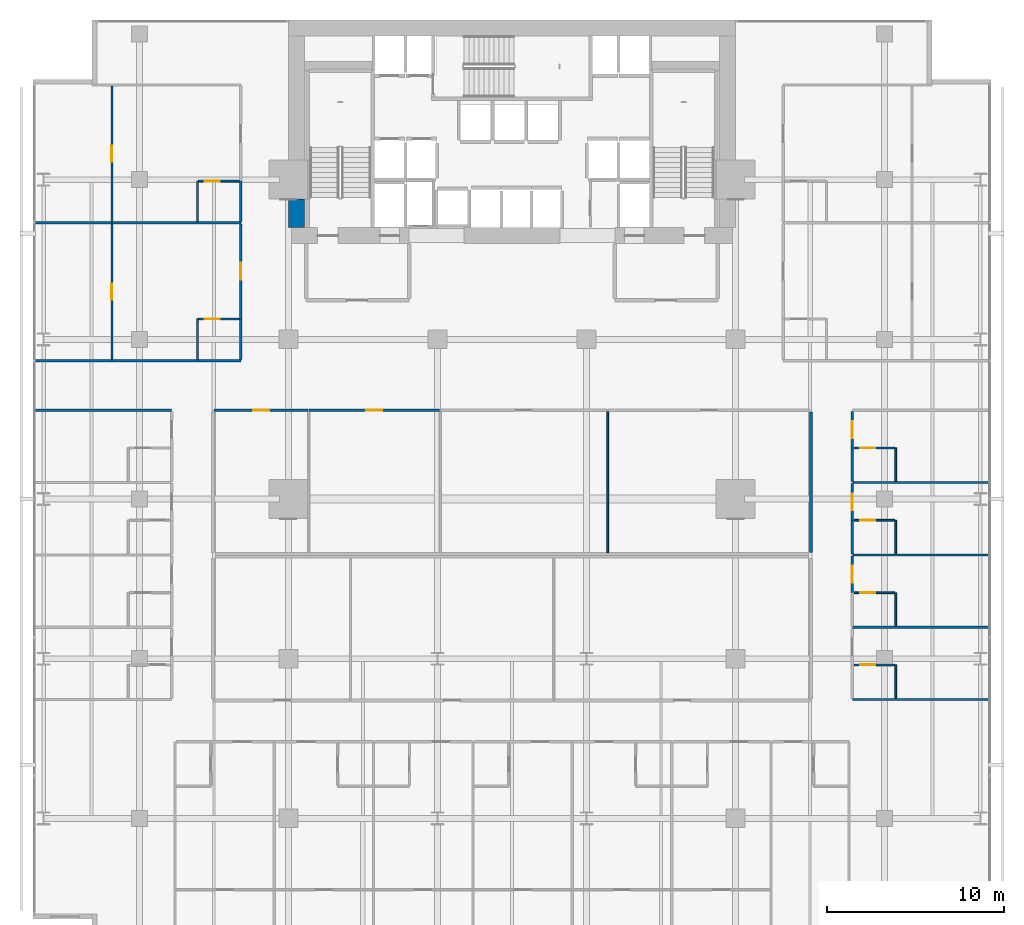
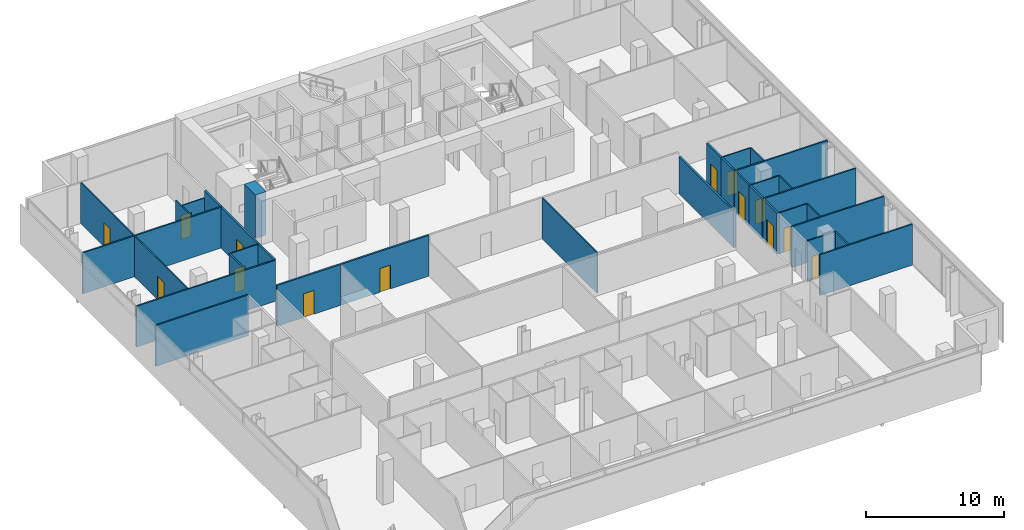
# One storey, part 35 of 40: 34 walls, 14 doors, 14 openings.
"""IFC4 building model written with IfcOpenShell, lengths in metres."""

from ifc_helpers import new_model, si_unit, direction, frame, frame_2d, origin, place, context, subcontext, project, spatial, rectangle, extrude, material, layer, layer_set, type_object, element, fill, save


model = new_model("IFC4")

# Units and contexts
model_context = context("Model", 3, precision=1e-05, world=origin(), true_north=direction((0.0, 1.0)))
body_context = subcontext(model_context, "Body", "Model", "MODEL_VIEW")
ifc_project = project(units=[si_unit("LENGTHUNIT", "METRE"), si_unit("AREAUNIT", "SQUARE_METRE"), si_unit("VOLUMEUNIT", "CUBIC_METRE"), si_unit("PLANEANGLEUNIT", "RADIAN"), si_unit("MASSUNIT", "GRAM", prefix="KILO")], contexts=[model_context])

# Site, building, storey
site_placement = place(None, origin())
site = spatial("IfcSite", under=ifc_project, at=site_placement, CompositionType="ELEMENT")
building_placement = place(site_placement, origin())
building = spatial("IfcBuilding", under=site, at=building_placement, Name="Maruvema Waterfront Hotel and Observation Tower", CompositionType="ELEMENT")
storey_placement = place(building_placement, frame((0.0, 0.0, 57.75)))
storey = spatial("IfcBuildingStorey", under=building, at=storey_placement, Name="L13", CompositionType="ELEMENT", Elevation=57.75)

# Wall
ifc_material_1 = material(Name="Twin-stud acoustic gypsum drywall", Category="gypsum")
ifc_layer_1 = layer(ifc_material_1, 0.14990234375, Name="Acoustic Corridor and Suite Demising Wall 150 mm")
ifc_layer_set_1 = layer_set([ifc_layer_1], Name="Twin-stud acoustic gypsum drywall")
wall_type_1 = type_object("IfcWallType", Name="Acoustic Corridor and Suite Demising Wall 150 mm", PredefinedType="PARTITIONING", material=ifc_layer_set_1)
wall_1_placement = place(storey_placement, frame((54.64990234375, 23.97998046875, 0.0), z_axis=(0.0, 0.0, 1.0), x_axis=(0.0, 1.0, 0.0)))
element("IfcWall", 1, at=wall_1_placement, inside=storey, type_object=wall_type_1, Name="L13 L13-INTN East Wall 014", PredefinedType="PARTITIONING", context=body_context, shape_type="SweptSolid", body=[
    extrude(rectangle(XDim=7.93994140625, YDim=0.14990234375, at=frame_2d((3.969970703125, 0.0))), origin(), (0.0, 0.0, 1.0), 3.2548828125),
])

# Wall, opening, door
wall_2_placement = place(storey_placement, frame((21.010009765625, 32.0, 0.0), z_axis=(0.0, 0.0, 1.0), x_axis=(1.0, 0.0, 0.0)))
wall_2 = element("IfcWall", 2, at=wall_2_placement, inside=storey, type_object=wall_type_1, Name="L13 L13-INTN Front 1 015", PredefinedType="PARTITIONING", context=body_context, shape_type="SweptSolid", body=[
    extrude(rectangle(XDim=5.302001953125, YDim=0.14990234375, at=frame_2d((2.65087890625, 0.0))), origin(), (0.0, 0.0, 1.0), 3.610107421875),
])
opening_1_placement = place(wall_2_placement, frame((2.200927734375, 0.0, 0.0)))
opening_1 = element("IfcOpeningElement", 3, at=opening_1_placement, cuts=wall_2, Name="Opening DR-090", PredefinedType="OPENING", context=body_context, shape_type="SweptSolid", body=[
    extrude(rectangle(XDim=0.89990234375, YDim=2.10009765625, at=frame_2d((0.449951171875, 1.050048828125))), frame((0.0, 0.0849609375, 0.0), z_axis=(0.0, -1.0, 0.0), x_axis=(1.0, 0.0, 0.0)), (0.0, 0.0, 1.0), 0.169921875),
])
ifc_material_2 = material(Name="Solid-core lacquered timber leaf", Category="wood")
door_type_1 = type_object("IfcDoorType", Name="Accessible Toilet and Room Door 900x2100 mm", OperationType="NOTDEFINED", PredefinedType="DOOR", material=ifc_material_2)
door_1_placement = place(opening_1_placement, origin())
door_1 = element("IfcDoor", 4, at=door_1_placement, inside=storey, type_object=door_type_1, Name="L13 Conference Salon 1 Door", OperationType="SINGLE_SWING_LEFT", OverallHeight=2.10009765625, OverallWidth=0.89990234375, PredefinedType="DOOR", context=body_context, shape_type="SweptSolid", body=[
    extrude(rectangle(XDim=0.89990234375, YDim=2.10009765625, at=frame_2d((0.449951171875, 1.050048828125))), frame((0.0, 0.02490234375, 0.0), z_axis=(0.0, -1.0, 0.0), x_axis=(1.0, 0.0, 0.0)), (0.0, 0.0, 1.0), 0.050048828125),
])
fill(opening_1, door_1)

wall_3_placement = place(storey_placement, frame((26.3720703125, 32.0, 0.0), z_axis=(0.0, 0.0, 1.0), x_axis=(1.0, 0.0, 0.0)))
wall_3 = element("IfcWall", 5, at=wall_3_placement, inside=storey, type_object=wall_type_1, Name="L13 L13-INTN Front 2 017", PredefinedType="PARTITIONING", context=body_context, shape_type="SweptSolid", body=[
    extrude(rectangle(XDim=7.35400390625, YDim=0.14990234375, at=frame_2d((3.677001953125, 0.0))), origin(), (0.0, 0.0, 1.0), 3.610107421875),
])
opening_2_placement = place(wall_3_placement, frame((3.22705078125, 0.0, 0.0)))
opening_2 = element("IfcOpeningElement", 6, at=opening_2_placement, cuts=wall_3, Name="Opening DR-090", PredefinedType="OPENING", context=body_context, shape_type="SweptSolid", body=[
    extrude(rectangle(XDim=0.89990234375, YDim=2.10009765625, at=frame_2d((0.449951171875, 1.050048828125))), frame((0.0, 0.0849609375, 0.0), z_axis=(0.0, -1.0, 0.0), x_axis=(1.0, 0.0, 0.0)), (0.0, 0.0, 1.0), 0.169921875),
])
door_2_placement = place(opening_2_placement, origin())
door_2 = element("IfcDoor", 7, at=door_2_placement, inside=storey, type_object=door_type_1, Name="L13 Conference Salon 2 Door", OperationType="SINGLE_SWING_RIGHT", OverallHeight=2.10009765625, OverallWidth=0.89990234375, PredefinedType="DOOR", context=body_context, shape_type="SweptSolid", body=[
    extrude(rectangle(XDim=0.89990234375, YDim=2.10009765625, at=frame_2d((0.449951171875, 1.050048828125))), frame((0.0, 0.02490234375, 0.0), z_axis=(0.0, -1.0, 0.0), x_axis=(1.0, 0.0, 0.0)), (0.0, 0.0, 1.0), 0.050048828125),
])
fill(opening_2, door_2)

wall_4_placement = place(storey_placement, frame((56.97998046875, 21.719970703125, 0.0), z_axis=(0.0, 0.0, 1.0), x_axis=(0.0, 1.0, 0.0)))
wall_4 = element("IfcWall", 8, at=wall_4_placement, inside=storey, type_object=wall_type_1, Name="L13 Room L13-E2 Corridor Wall 091", PredefinedType="PARTITIONING", context=body_context, shape_type="SweptSolid", body=[
    extrude(rectangle(XDim=2.070068359375, YDim=0.14990234375, at=frame_2d((1.03515625, 0.0))), origin(), (0.0, 0.0, 1.0), 3.610107421875),
])
opening_3_placement = place(wall_4_placement, frame((0.56005859375, 0.0, 0.0)))
opening_3 = element("IfcOpeningElement", 9, at=opening_3_placement, cuts=wall_4, Name="Opening DR-095", PredefinedType="OPENING", context=body_context, shape_type="SweptSolid", body=[
    extrude(rectangle(XDim=0.949951171875, YDim=2.14990234375, at=frame_2d((0.47509765625, 1.074951171875))), frame((0.0, 0.0849609375, 0.0), z_axis=(0.0, -1.0, 0.0), x_axis=(1.0, 0.0, 0.0)), (0.0, 0.0, 1.0), 0.169921875),
])
ifc_material_3 = material(Name="Acoustic solid-core hardwood timber leaf", Category="wood")
door_type_2 = type_object("IfcDoorType", Name="Guestroom Entrance Fire Door 950x2150 mm", OperationType="NOTDEFINED", PredefinedType="DOOR", material=ifc_material_3)
door_3_placement = place(opening_3_placement, frame((0.949951171875, 0.0, 0.0), z_axis=(0.0, 0.0, 1.0), x_axis=(-1.0, 0.0, 0.0)))
door_3 = element("IfcDoor", 10, at=door_3_placement, inside=storey, type_object=door_type_2, Name="L13 Room L13-E2 Entrance Door", OperationType="SINGLE_SWING_LEFT", OverallHeight=2.14990234375, OverallWidth=0.949951171875, PredefinedType="DOOR", context=body_context, shape_type="SweptSolid", body=[
    extrude(rectangle(XDim=0.949951171875, YDim=2.14990234375, at=frame_2d((0.47509765625, 1.074951171875))), frame((0.0, 0.02490234375, 0.0), z_axis=(0.0, -1.0, 0.0), x_axis=(1.0, 0.0, 0.0)), (0.0, 0.0, 1.0), 0.050048828125),
])
fill(opening_3, door_3)

# Wall
wall_5_placement = place(storey_placement, frame((56.97998046875, 23.909912109375, 0.0), z_axis=(0.0, 0.0, 1.0), x_axis=(0.0, 1.0, 0.0)))
element("IfcWall", 11, at=wall_5_placement, inside=storey, type_object=wall_type_1, Name="L13 Bath L13-E3 Wall 100", PredefinedType="PARTITIONING", context=body_context, shape_type="SweptSolid", body=[
    extrude(rectangle(XDim=1.89013671875, YDim=0.14990234375, at=frame_2d((0.945068359375, 0.0))), origin(), (0.0, 0.0, 1.0), 3.610107421875),
])

# Wall, opening, door
wall_6_placement = place(storey_placement, frame((56.97998046875, 25.800048828125, 0.0), z_axis=(0.0, 0.0, 1.0), x_axis=(0.0, 1.0, 0.0)))
wall_6 = element("IfcWall", 12, at=wall_6_placement, inside=storey, type_object=wall_type_1, Name="L13 Room L13-E3 Corridor Wall 101", PredefinedType="PARTITIONING", context=body_context, shape_type="SweptSolid", body=[
    extrude(rectangle(XDim=2.070068359375, YDim=0.14990234375, at=frame_2d((1.03515625, 0.0))), origin(), (0.0, 0.0, 1.0), 3.610107421875),
])
opening_4_placement = place(wall_6_placement, frame((0.56005859375, 0.0, 0.0)))
opening_4 = element("IfcOpeningElement", 13, at=opening_4_placement, cuts=wall_6, Name="Opening DR-095", PredefinedType="OPENING", context=body_context, shape_type="SweptSolid", body=[
    extrude(rectangle(XDim=0.949951171875, YDim=2.14990234375, at=frame_2d((0.47509765625, 1.074951171875))), frame((0.0, 0.0849609375, 0.0), z_axis=(0.0, -1.0, 0.0), x_axis=(1.0, 0.0, 0.0)), (0.0, 0.0, 1.0), 0.169921875),
])
door_4_placement = place(opening_4_placement, frame((0.949951171875, 0.0, 0.0), z_axis=(0.0, 0.0, 1.0), x_axis=(-1.0, 0.0, 0.0)))
door_4 = element("IfcDoor", 14, at=door_4_placement, inside=storey, type_object=door_type_2, Name="L13 Room L13-E3 Entrance Door", OperationType="SINGLE_SWING_LEFT", OverallHeight=2.14990234375, OverallWidth=0.949951171875, PredefinedType="DOOR", context=body_context, shape_type="SweptSolid", body=[
    extrude(rectangle(XDim=0.949951171875, YDim=2.14990234375, at=frame_2d((0.47509765625, 1.074951171875))), frame((0.0, 0.02490234375, 0.0), z_axis=(0.0, -1.0, 0.0), x_axis=(1.0, 0.0, 0.0)), (0.0, 0.0, 1.0), 0.050048828125),
])
fill(opening_4, door_4)

# Wall
wall_7_placement = place(storey_placement, frame((56.97998046875, 27.989990234375, 0.0), z_axis=(0.0, 0.0, 1.0), x_axis=(0.0, 1.0, 0.0)))
element("IfcWall", 15, at=wall_7_placement, inside=storey, type_object=wall_type_1, Name="L13 Bath L13-E4 Wall 110", PredefinedType="PARTITIONING", context=body_context, shape_type="SweptSolid", body=[
    extrude(rectangle(XDim=1.889892578125, YDim=0.14990234375, at=frame_2d((0.94482421875, 0.0))), origin(), (0.0, 0.0, 1.0), 3.610107421875),
])

# Wall, opening, door
wall_8_placement = place(storey_placement, frame((56.97998046875, 29.8798828125, 0.0), z_axis=(0.0, 0.0, 1.0), x_axis=(0.0, 1.0, 0.0)))
wall_8 = element("IfcWall", 16, at=wall_8_placement, inside=storey, type_object=wall_type_1, Name="L13 Room L13-E4 Corridor Wall 111", PredefinedType="PARTITIONING", context=body_context, shape_type="SweptSolid", body=[
    extrude(rectangle(XDim=2.06005859375, YDim=0.14990234375, at=frame_2d((1.030029296875, 0.0))), origin(), (0.0, 0.0, 1.0), 3.610107421875),
])
opening_5_placement = place(wall_8_placement, frame((0.554931640625, 0.0, 0.0)))
opening_5 = element("IfcOpeningElement", 17, at=opening_5_placement, cuts=wall_8, Name="Opening DR-095", PredefinedType="OPENING", context=body_context, shape_type="SweptSolid", body=[
    extrude(rectangle(XDim=0.949951171875, YDim=2.14990234375, at=frame_2d((0.47509765625, 1.074951171875))), frame((0.0, 0.0849609375, 0.0), z_axis=(0.0, -1.0, 0.0), x_axis=(1.0, 0.0, 0.0)), (0.0, 0.0, 1.0), 0.169921875),
])
door_5_placement = place(opening_5_placement, frame((0.949951171875, 0.0, 0.0), z_axis=(0.0, 0.0, 1.0), x_axis=(-1.0, 0.0, 0.0)))
door_5 = element("IfcDoor", 18, at=door_5_placement, inside=storey, type_object=door_type_2, Name="L13 Room L13-E4 Entrance Door", OperationType="SINGLE_SWING_LEFT", OverallHeight=2.14990234375, OverallWidth=0.949951171875, PredefinedType="DOOR", context=body_context, shape_type="SweptSolid", body=[
    extrude(rectangle(XDim=0.949951171875, YDim=2.14990234375, at=frame_2d((0.47509765625, 1.074951171875))), frame((0.0, 0.02490234375, 0.0), z_axis=(0.0, -1.0, 0.0), x_axis=(1.0, 0.0, 0.0)), (0.0, 0.0, 1.0), 0.050048828125),
])
fill(opening_5, door_5)

# Wall
wall_9_placement = place(storey_placement, frame((22.52001953125, 34.860107421875, 0.0), z_axis=(0.0, 0.0, 1.0), x_axis=(0.0, 1.0, 0.0)))
element("IfcWall", 19, at=wall_9_placement, inside=storey, type_object=wall_type_1, Name="L13 Bath L13-NW1 Wall 118", PredefinedType="PARTITIONING", context=body_context, shape_type="SweptSolid", body=[
    extrude(rectangle(XDim=2.289794921875, YDim=0.14990234375, at=frame_2d((1.14501953125, 0.0))), origin(), (0.0, 0.0, 1.0), 3.610107421875),
])

# Wall, opening, door
wall_10_placement = place(storey_placement, frame((22.52001953125, 37.14990234375, 0.0), z_axis=(0.0, 0.0, 1.0), x_axis=(0.0, 1.0, 0.0)))
wall_10 = element("IfcWall", 20, at=wall_10_placement, inside=storey, type_object=wall_type_1, Name="L13 Room L13-NW1 Corridor Wall 119", PredefinedType="PARTITIONING", context=body_context, shape_type="SweptSolid", body=[
    extrude(rectangle(XDim=5.35888671875, YDim=0.14990234375, at=frame_2d((2.679443359375, 0.0))), origin(), (0.0, 0.0, 1.0), 3.610107421875),
])
opening_6_placement = place(wall_10_placement, frame((2.204345703125, 0.0, 0.0)))
opening_6 = element("IfcOpeningElement", 21, at=opening_6_placement, cuts=wall_10, Name="Opening DR-095", PredefinedType="OPENING", context=body_context, shape_type="SweptSolid", body=[
    extrude(rectangle(XDim=0.949951171875, YDim=2.14990234375, at=frame_2d((0.47509765625, 1.074951171875))), frame((0.0, 0.0849609375, 0.0), z_axis=(0.0, -1.0, 0.0), x_axis=(1.0, 0.0, 0.0)), (0.0, 0.0, 1.0), 0.169921875),
])
door_6_placement = place(opening_6_placement, origin())
door_6 = element("IfcDoor", 22, at=door_6_placement, inside=storey, type_object=door_type_2, Name="L13 Room L13-NW1 Entrance Door", OperationType="SINGLE_SWING_LEFT", OverallHeight=2.14990234375, OverallWidth=0.949951171875, PredefinedType="DOOR", context=body_context, shape_type="SweptSolid", body=[
    extrude(rectangle(XDim=0.949951171875, YDim=2.14990234375, at=frame_2d((0.47509765625, 1.074951171875))), frame((0.0, 0.02490234375, 0.0), z_axis=(0.0, -1.0, 0.0), x_axis=(1.0, 0.0, 0.0)), (0.0, 0.0, 1.0), 0.050048828125),
])
fill(opening_6, door_6)

# Walls
wall_11_placement = place(storey_placement, frame((22.52001953125, 42.628662109375, 0.0), z_axis=(0.0, 0.0, 1.0), x_axis=(0.0, 1.0, 0.0)))
element("IfcWall", 23, at=wall_11_placement, inside=storey, type_object=wall_type_1, Name="L13 Bath L13-NW2 Wall 130", PredefinedType="PARTITIONING", context=body_context, shape_type="SweptSolid", body=[
    extrude(rectangle(XDim=2.2900390625, YDim=0.14990234375, at=frame_2d((1.14501953125, 0.0))), origin(), (0.0, 0.0, 1.0), 3.610107421875),
])
ifc_material_4 = material(Name="Concrete C80/95", Category="concrete")
ifc_layer_2 = layer(ifc_material_4, 0.89990234375, Name="Core Shear Wall 900 mm")
ifc_layer_set_2 = layer_set([ifc_layer_2], Name="Concrete C80/95")
wall_type_2 = type_object("IfcWallType", Name="Core Shear Wall 900 mm", PredefinedType="SHEAR", material=ifc_layer_set_2)
wall_12_placement = place(storey_placement, frame((25.64990234375, 42.300048828125, 0.0), z_axis=(0.0, 0.0, 1.0), x_axis=(0.0, 1.0, 0.0)))
element("IfcWall", 24, at=wall_12_placement, inside=storey, type_object=wall_type_2, Name="L13 West-South Core Shear Wall", PredefinedType="SHEAR", context=body_context, shape_type="SweptSolid", body=[
    extrude(rectangle(XDim=1.599853515625, YDim=0.89990234375, at=frame_2d((0.7998046875, 0.0))), origin(), (0.0, 0.0, 1.0), 3.85009765625),
])
ifc_material_5 = material(Name="Moisture-resistant cement-board drywall", Category="gypsum")
ifc_layer_3 = layer(ifc_material_5, 0.10009765625, Name="En-Suite Moisture-Resistant Partition 100 mm")
ifc_layer_set_3 = layer_set([ifc_layer_3], Name="Moisture-resistant cement-board drywall")
wall_type_3 = type_object("IfcWallType", Name="En-Suite Moisture-Resistant Partition 100 mm", PredefinedType="PARTITIONING", material=ifc_layer_set_3)
wall_13_placement = place(storey_placement, frame((43.19189453125, 23.97998046875, 0.0), z_axis=(0.0, 0.0, 1.0), x_axis=(0.0, 1.0, 0.0)))
element("IfcWall", 25, at=wall_13_placement, inside=storey, type_object=wall_type_3, Name="L13 L13-INTN Split 3 020", PredefinedType="PARTITIONING", context=body_context, shape_type="SweptSolid", body=[
    extrude(rectangle(XDim=7.93994140625, YDim=0.10009765625, at=frame_2d((3.969970703125, 0.0))), origin(), (0.0, 0.0, 1.0), 3.610107421875),
])
wall_14_placement = place(storey_placement, frame((59.429931640625, 15.760009765625, 0.0), z_axis=(0.0, 0.0, 1.0), x_axis=(0.0, 1.0, 0.0)))
element("IfcWall", 26, at=wall_14_placement, inside=storey, type_object=wall_type_3, Name="L13 En-Suite L13-E1 E 082", PredefinedType="PARTITIONING", context=body_context, shape_type="SweptSolid", body=[
    extrude(rectangle(XDim=1.889892578125, YDim=0.10009765625, at=frame_2d((0.94482421875, 0.0))), origin(), (0.0, 0.0, 1.0), 3.610107421875),
])

# Wall, opening, door
wall_15_placement = place(storey_placement, frame((57.080078125, 17.64990234375, 0.0), z_axis=(0.0, 0.0, 1.0), x_axis=(1.0, 0.0, 0.0)))
wall_15 = element("IfcWall", 27, at=wall_15_placement, inside=storey, type_object=wall_type_3, Name="L13 En-Suite L13-E1 N 083", PredefinedType="PARTITIONING", context=body_context, shape_type="SweptSolid", body=[
    extrude(rectangle(XDim=2.2998046875, YDim=0.10009765625, at=frame_2d((1.14990234375, 0.0))), origin(), (0.0, 0.0, 1.0), 3.610107421875),
])
opening_7_placement = place(wall_15_placement, frame((0.35009765625, 0.0, 0.0)))
opening_7 = element("IfcOpeningElement", 28, at=opening_7_placement, cuts=wall_15, Name="Opening DR-085", PredefinedType="OPENING", context=body_context, shape_type="SweptSolid", body=[
    extrude(rectangle(XDim=0.85009765625, YDim=2.10009765625, at=frame_2d((0.425048828125, 1.050048828125))), frame((0.0, 0.06005859375, 0.0), z_axis=(0.0, -1.0, 0.0), x_axis=(1.0, 0.0, 0.0)), (0.0, 0.0, 1.0), 0.1201171875),
])
ifc_material_6 = material(Name="Moisture-resistant solid timber leaf", Category="wood")
door_type_3 = type_object("IfcDoorType", Name="En-Suite Bathroom Door 850x2100 mm", OperationType="NOTDEFINED", PredefinedType="DOOR", material=ifc_material_6)
door_7_placement = place(opening_7_placement, origin())
door_7 = element("IfcDoor", 29, at=door_7_placement, inside=storey, type_object=door_type_3, Name="L13 En-Suite L13-E1 Door", OperationType="SINGLE_SWING_RIGHT", OverallHeight=2.10009765625, OverallWidth=0.85009765625, PredefinedType="DOOR", context=body_context, shape_type="SweptSolid", body=[
    extrude(rectangle(XDim=0.85009765625, YDim=2.10009765625, at=frame_2d((0.425048828125, 1.050048828125))), frame((0.0, 0.02490234375, 0.0), z_axis=(0.0, -1.0, 0.0), x_axis=(1.0, 0.0, 0.0)), (0.0, 0.0, 1.0), 0.050048828125),
])
fill(opening_7, door_7)

# Wall
wall_16_placement = place(storey_placement, frame((59.429931640625, 19.830078125, 0.0), z_axis=(0.0, 0.0, 1.0), x_axis=(0.0, 1.0, 0.0)))
element("IfcWall", 30, at=wall_16_placement, inside=storey, type_object=wall_type_3, Name="L13 En-Suite L13-E2 E 092", PredefinedType="PARTITIONING", context=body_context, shape_type="SweptSolid", body=[
    extrude(rectangle(XDim=1.889892578125, YDim=0.10009765625, at=frame_2d((0.94482421875, 0.0))), origin(), (0.0, 0.0, 1.0), 3.610107421875),
])

# Wall, opening, door
wall_17_placement = place(storey_placement, frame((57.080078125, 21.719970703125, 0.0), z_axis=(0.0, 0.0, 1.0), x_axis=(1.0, 0.0, 0.0)))
wall_17 = element("IfcWall", 31, at=wall_17_placement, inside=storey, type_object=wall_type_3, Name="L13 En-Suite L13-E2 N 093", PredefinedType="PARTITIONING", context=body_context, shape_type="SweptSolid", body=[
    extrude(rectangle(XDim=2.2998046875, YDim=0.10009765625, at=frame_2d((1.14990234375, 0.0))), origin(), (0.0, 0.0, 1.0), 3.610107421875),
])
opening_8_placement = place(wall_17_placement, frame((0.35009765625, 0.0, 0.0)))
opening_8 = element("IfcOpeningElement", 32, at=opening_8_placement, cuts=wall_17, Name="Opening DR-085", PredefinedType="OPENING", context=body_context, shape_type="SweptSolid", body=[
    extrude(rectangle(XDim=0.85009765625, YDim=2.10009765625, at=frame_2d((0.425048828125, 1.050048828125))), frame((0.0, 0.06005859375, 0.0), z_axis=(0.0, -1.0, 0.0), x_axis=(1.0, 0.0, 0.0)), (0.0, 0.0, 1.0), 0.1201171875),
])
door_8_placement = place(opening_8_placement, origin())
door_8 = element("IfcDoor", 33, at=door_8_placement, inside=storey, type_object=door_type_3, Name="L13 En-Suite L13-E2 Door", OperationType="SINGLE_SWING_RIGHT", OverallHeight=2.10009765625, OverallWidth=0.85009765625, PredefinedType="DOOR", context=body_context, shape_type="SweptSolid", body=[
    extrude(rectangle(XDim=0.85009765625, YDim=2.10009765625, at=frame_2d((0.425048828125, 1.050048828125))), frame((0.0, 0.02490234375, 0.0), z_axis=(0.0, -1.0, 0.0), x_axis=(1.0, 0.0, 0.0)), (0.0, 0.0, 1.0), 0.050048828125),
])
fill(opening_8, door_8)

# Wall
wall_18_placement = place(storey_placement, frame((59.429931640625, 23.909912109375, 0.0), z_axis=(0.0, 0.0, 1.0), x_axis=(0.0, 1.0, 0.0)))
element("IfcWall", 34, at=wall_18_placement, inside=storey, type_object=wall_type_3, Name="L13 En-Suite L13-E3 E 102", PredefinedType="PARTITIONING", context=body_context, shape_type="SweptSolid", body=[
    extrude(rectangle(XDim=1.89013671875, YDim=0.10009765625, at=frame_2d((0.945068359375, 0.0))), origin(), (0.0, 0.0, 1.0), 3.610107421875),
])

# Wall, opening, door
wall_19_placement = place(storey_placement, frame((57.080078125, 25.800048828125, 0.0), z_axis=(0.0, 0.0, 1.0), x_axis=(1.0, 0.0, 0.0)))
wall_19 = element("IfcWall", 35, at=wall_19_placement, inside=storey, type_object=wall_type_3, Name="L13 En-Suite L13-E3 N 103", PredefinedType="PARTITIONING", context=body_context, shape_type="SweptSolid", body=[
    extrude(rectangle(XDim=2.2998046875, YDim=0.10009765625, at=frame_2d((1.14990234375, 0.0))), origin(), (0.0, 0.0, 1.0), 3.610107421875),
])
opening_9_placement = place(wall_19_placement, frame((0.35009765625, 0.0, 0.0)))
opening_9 = element("IfcOpeningElement", 36, at=opening_9_placement, cuts=wall_19, Name="Opening DR-085", PredefinedType="OPENING", context=body_context, shape_type="SweptSolid", body=[
    extrude(rectangle(XDim=0.85009765625, YDim=2.10009765625, at=frame_2d((0.425048828125, 1.050048828125))), frame((0.0, 0.06005859375, 0.0), z_axis=(0.0, -1.0, 0.0), x_axis=(1.0, 0.0, 0.0)), (0.0, 0.0, 1.0), 0.1201171875),
])
door_9_placement = place(opening_9_placement, origin())
door_9 = element("IfcDoor", 37, at=door_9_placement, inside=storey, type_object=door_type_3, Name="L13 En-Suite L13-E3 Door", OperationType="SINGLE_SWING_RIGHT", OverallHeight=2.10009765625, OverallWidth=0.85009765625, PredefinedType="DOOR", context=body_context, shape_type="SweptSolid", body=[
    extrude(rectangle(XDim=0.85009765625, YDim=2.10009765625, at=frame_2d((0.425048828125, 1.050048828125))), frame((0.0, 0.02490234375, 0.0), z_axis=(0.0, -1.0, 0.0), x_axis=(1.0, 0.0, 0.0)), (0.0, 0.0, 1.0), 0.050048828125),
])
fill(opening_9, door_9)

# Wall
wall_20_placement = place(storey_placement, frame((59.429931640625, 27.989990234375, 0.0), z_axis=(0.0, 0.0, 1.0), x_axis=(0.0, 1.0, 0.0)))
element("IfcWall", 38, at=wall_20_placement, inside=storey, type_object=wall_type_3, Name="L13 En-Suite L13-E4 E 112", PredefinedType="PARTITIONING", context=body_context, shape_type="SweptSolid", body=[
    extrude(rectangle(XDim=1.889892578125, YDim=0.10009765625, at=frame_2d((0.94482421875, 0.0))), origin(), (0.0, 0.0, 1.0), 3.610107421875),
])

# Wall, opening, door
wall_21_placement = place(storey_placement, frame((57.080078125, 29.8798828125, 0.0), z_axis=(0.0, 0.0, 1.0), x_axis=(1.0, 0.0, 0.0)))
wall_21 = element("IfcWall", 39, at=wall_21_placement, inside=storey, type_object=wall_type_3, Name="L13 En-Suite L13-E4 N 113", PredefinedType="PARTITIONING", context=body_context, shape_type="SweptSolid", body=[
    extrude(rectangle(XDim=2.2998046875, YDim=0.10009765625, at=frame_2d((1.14990234375, 0.0))), origin(), (0.0, 0.0, 1.0), 3.610107421875),
])
opening_10_placement = place(wall_21_placement, frame((0.35009765625, 0.0, 0.0)))
opening_10 = element("IfcOpeningElement", 40, at=opening_10_placement, cuts=wall_21, Name="Opening DR-085", PredefinedType="OPENING", context=body_context, shape_type="SweptSolid", body=[
    extrude(rectangle(XDim=0.85009765625, YDim=2.10009765625, at=frame_2d((0.425048828125, 1.050048828125))), frame((0.0, 0.06005859375, 0.0), z_axis=(0.0, -1.0, 0.0), x_axis=(1.0, 0.0, 0.0)), (0.0, 0.0, 1.0), 0.1201171875),
])
door_10_placement = place(opening_10_placement, origin())
door_10 = element("IfcDoor", 41, at=door_10_placement, inside=storey, type_object=door_type_3, Name="L13 En-Suite L13-E4 Door", OperationType="SINGLE_SWING_RIGHT", OverallHeight=2.10009765625, OverallWidth=0.85009765625, PredefinedType="DOOR", context=body_context, shape_type="SweptSolid", body=[
    extrude(rectangle(XDim=0.85009765625, YDim=2.10009765625, at=frame_2d((0.425048828125, 1.050048828125))), frame((0.0, 0.02490234375, 0.0), z_axis=(0.0, -1.0, 0.0), x_axis=(1.0, 0.0, 0.0)), (0.0, 0.0, 1.0), 0.050048828125),
])
fill(opening_10, door_10)

# Wall
wall_22_placement = place(storey_placement, frame((20.070068359375, 34.860107421875, 0.0), z_axis=(0.0, 0.0, 1.0), x_axis=(0.0, 1.0, 0.0)))
element("IfcWall", 42, at=wall_22_placement, inside=storey, type_object=wall_type_3, Name="L13 En-Suite L13-NW1 W 120", PredefinedType="PARTITIONING", context=body_context, shape_type="SweptSolid", body=[
    extrude(rectangle(XDim=2.289794921875, YDim=0.10009765625, at=frame_2d((1.14501953125, 0.0))), origin(), (0.0, 0.0, 1.0), 3.610107421875),
])

# Wall, opening, door
wall_23_placement = place(storey_placement, frame((20.1201171875, 37.14990234375, 0.0), z_axis=(0.0, 0.0, 1.0), x_axis=(1.0, 0.0, 0.0)))
wall_23 = element("IfcWall", 43, at=wall_23_placement, inside=storey, type_object=wall_type_3, Name="L13 En-Suite L13-NW1 N 121", PredefinedType="PARTITIONING", context=body_context, shape_type="SweptSolid", body=[
    extrude(rectangle(XDim=2.2998046875, YDim=0.10009765625, at=frame_2d((1.14990234375, 0.0))), origin(), (0.0, 0.0, 1.0), 3.610107421875),
])
opening_11_placement = place(wall_23_placement, frame((0.35009765625, 0.0, 0.0)))
opening_11 = element("IfcOpeningElement", 44, at=opening_11_placement, cuts=wall_23, Name="Opening DR-085", PredefinedType="OPENING", context=body_context, shape_type="SweptSolid", body=[
    extrude(rectangle(XDim=0.85009765625, YDim=2.10009765625, at=frame_2d((0.425048828125, 1.050048828125))), frame((0.0, 0.06005859375, 0.0), z_axis=(0.0, -1.0, 0.0), x_axis=(1.0, 0.0, 0.0)), (0.0, 0.0, 1.0), 0.1201171875),
])
door_11_placement = place(opening_11_placement, origin())
door_11 = element("IfcDoor", 45, at=door_11_placement, inside=storey, type_object=door_type_3, Name="L13 En-Suite L13-NW1 Door", OperationType="SINGLE_SWING_RIGHT", OverallHeight=2.10009765625, OverallWidth=0.85009765625, PredefinedType="DOOR", context=body_context, shape_type="SweptSolid", body=[
    extrude(rectangle(XDim=0.85009765625, YDim=2.10009765625, at=frame_2d((0.425048828125, 1.050048828125))), frame((0.0, 0.02490234375, 0.0), z_axis=(0.0, -1.0, 0.0), x_axis=(1.0, 0.0, 0.0)), (0.0, 0.0, 1.0), 0.050048828125),
])
fill(opening_11, door_11)

wall_24_placement = place(storey_placement, frame((15.24951171875, 34.860107421875, 0.0), z_axis=(0.0, 0.0, 1.0), x_axis=(0.0, 1.0, 0.0)))
wall_24 = element("IfcWall", 46, at=wall_24_placement, inside=storey, type_object=wall_type_3, Name="L13 Suite L13-NW1 Split 122", PredefinedType="PARTITIONING", context=body_context, shape_type="SweptSolid", body=[
    extrude(rectangle(XDim=7.648681640625, YDim=0.10009765625, at=frame_2d((3.82421875, 0.0))), origin(), (0.0, 0.0, 1.0), 3.610107421875),
])
opening_12_placement = place(wall_24_placement, frame((3.374267578125, 0.0, 0.0)))
opening_12 = element("IfcOpeningElement", 47, at=opening_12_placement, cuts=wall_24, Name="Opening DR-090", PredefinedType="OPENING", context=body_context, shape_type="SweptSolid", body=[
    extrude(rectangle(XDim=0.89990234375, YDim=2.10009765625, at=frame_2d((0.449951171875, 1.050048828125))), frame((0.0, 0.06005859375, 0.0), z_axis=(0.0, -1.0, 0.0), x_axis=(1.0, 0.0, 0.0)), (0.0, 0.0, 1.0), 0.1201171875),
])
door_12_placement = place(opening_12_placement, origin())
door_12 = element("IfcDoor", 48, at=door_12_placement, inside=storey, type_object=door_type_1, Name="L13 Suite L13-NW1 Bedroom Door", OperationType="SINGLE_SWING_RIGHT", OverallHeight=2.10009765625, OverallWidth=0.89990234375, PredefinedType="DOOR", context=body_context, shape_type="SweptSolid", body=[
    extrude(rectangle(XDim=0.89990234375, YDim=2.10009765625, at=frame_2d((0.449951171875, 1.050048828125))), frame((0.0, 0.02490234375, 0.0), z_axis=(0.0, -1.0, 0.0), x_axis=(1.0, 0.0, 0.0)), (0.0, 0.0, 1.0), 0.050048828125),
])
fill(opening_12, door_12)

# Wall
wall_25_placement = place(storey_placement, frame((20.070068359375, 42.628662109375, 0.0), z_axis=(0.0, 0.0, 1.0), x_axis=(0.0, 1.0, 0.0)))
element("IfcWall", 49, at=wall_25_placement, inside=storey, type_object=wall_type_3, Name="L13 En-Suite L13-NW2 W 132", PredefinedType="PARTITIONING", context=body_context, shape_type="SweptSolid", body=[
    extrude(rectangle(XDim=2.2900390625, YDim=0.10009765625, at=frame_2d((1.14501953125, 0.0))), origin(), (0.0, 0.0, 1.0), 3.610107421875),
])

# Wall, opening, door
wall_26_placement = place(storey_placement, frame((20.1201171875, 44.918701171875, 0.0), z_axis=(0.0, 0.0, 1.0), x_axis=(1.0, 0.0, 0.0)))
wall_26 = element("IfcWall", 50, at=wall_26_placement, inside=storey, type_object=wall_type_3, Name="L13 En-Suite L13-NW2 N 133", PredefinedType="PARTITIONING", context=body_context, shape_type="SweptSolid", body=[
    extrude(rectangle(XDim=2.2998046875, YDim=0.10009765625, at=frame_2d((1.14990234375, 0.0))), origin(), (0.0, 0.0, 1.0), 2.988037109375),
])
opening_13_placement = place(wall_26_placement, frame((0.35009765625, 0.0, 0.0)))
opening_13 = element("IfcOpeningElement", 51, at=opening_13_placement, cuts=wall_26, Name="Opening DR-085", PredefinedType="OPENING", context=body_context, shape_type="SweptSolid", body=[
    extrude(rectangle(XDim=0.85009765625, YDim=2.10009765625, at=frame_2d((0.425048828125, 1.050048828125))), frame((0.0, 0.06005859375, 0.0), z_axis=(0.0, -1.0, 0.0), x_axis=(1.0, 0.0, 0.0)), (0.0, 0.0, 1.0), 0.1201171875),
])
door_13_placement = place(opening_13_placement, origin())
door_13 = element("IfcDoor", 52, at=door_13_placement, inside=storey, type_object=door_type_3, Name="L13 En-Suite L13-NW2 Door", OperationType="SINGLE_SWING_RIGHT", OverallHeight=2.10009765625, OverallWidth=0.85009765625, PredefinedType="DOOR", context=body_context, shape_type="SweptSolid", body=[
    extrude(rectangle(XDim=0.85009765625, YDim=2.10009765625, at=frame_2d((0.425048828125, 1.050048828125))), frame((0.0, 0.02490234375, 0.0), z_axis=(0.0, -1.0, 0.0), x_axis=(1.0, 0.0, 0.0)), (0.0, 0.0, 1.0), 0.050048828125),
])
fill(opening_13, door_13)

wall_27_placement = place(storey_placement, frame((15.24951171875, 42.628662109375, 0.0), z_axis=(0.0, 0.0, 1.0), x_axis=(0.0, 1.0, 0.0)))
wall_27 = element("IfcWall", 53, at=wall_27_placement, inside=storey, type_object=wall_type_3, Name="L13 Suite L13-NW2 Split 134", PredefinedType="PARTITIONING", context=body_context, shape_type="SweptSolid", body=[
    extrude(rectangle(XDim=7.64892578125, YDim=0.10009765625, at=frame_2d((3.824462890625, 0.0))), origin(), (0.0, 0.0, 1.0), 3.610107421875),
])
opening_14_placement = place(wall_27_placement, frame((3.37451171875, 0.0, 0.0)))
opening_14 = element("IfcOpeningElement", 54, at=opening_14_placement, cuts=wall_27, Name="Opening DR-090", PredefinedType="OPENING", context=body_context, shape_type="SweptSolid", body=[
    extrude(rectangle(XDim=0.89990234375, YDim=2.10009765625, at=frame_2d((0.449951171875, 1.050048828125))), frame((0.0, 0.06005859375, 0.0), z_axis=(0.0, -1.0, 0.0), x_axis=(1.0, 0.0, 0.0)), (0.0, 0.0, 1.0), 0.1201171875),
])
door_14_placement = place(opening_14_placement, origin())
door_14 = element("IfcDoor", 55, at=door_14_placement, inside=storey, type_object=door_type_1, Name="L13 Suite L13-NW2 Bedroom Door", OperationType="SINGLE_SWING_RIGHT", OverallHeight=2.10009765625, OverallWidth=0.89990234375, PredefinedType="DOOR", context=body_context, shape_type="SweptSolid", body=[
    extrude(rectangle(XDim=0.89990234375, YDim=2.10009765625, at=frame_2d((0.449951171875, 1.050048828125))), frame((0.0, 0.02490234375, 0.0), z_axis=(0.0, -1.0, 0.0), x_axis=(1.0, 0.0, 0.0)), (0.0, 0.0, 1.0), 0.050048828125),
])
fill(opening_14, door_14)

# Walls
ifc_material_7 = material(Name="Acoustic gypsum plasterboard drywall", Category="gypsum")
ifc_layer_4 = layer(ifc_material_7, 0.125, Name="Guestroom Acoustic Demising Wall 125 mm")
ifc_layer_set_4 = layer_set([ifc_layer_4], Name="Acoustic gypsum plasterboard drywall")
wall_type_4 = type_object("IfcWallType", Name="Guestroom Acoustic Demising Wall 125 mm", PredefinedType="PARTITIONING", material=ifc_layer_set_4)
wall_28_placement = place(storey_placement, frame((56.97998046875, 15.699951171875, 0.0), z_axis=(0.0, 0.0, 1.0), x_axis=(1.0, 0.0, 0.0)))
element("IfcWall", 56, at=wall_28_placement, inside=storey, type_object=wall_type_4, Name="L13 E Bot End 073", PredefinedType="PARTITIONING", context=body_context, shape_type="SweptSolid", body=[
    extrude(rectangle(XDim=7.719970703125, YDim=0.125, at=frame_2d((3.85986328125, 0.0))), origin(), (0.0, 0.0, 1.0), 3.610107421875),
])
wall_29_placement = place(storey_placement, frame((10.89990234375, 32.0, 0.0), z_axis=(0.0, 0.0, 1.0), x_axis=(1.0, 0.0, 0.0)))
element("IfcWall", 57, at=wall_29_placement, inside=storey, type_object=wall_type_4, Name="L13 W Top End 074", PredefinedType="PARTITIONING", context=body_context, shape_type="SweptSolid", body=[
    extrude(rectangle(XDim=7.72021484375, YDim=0.125, at=frame_2d((3.860107421875, 0.0))), origin(), (0.0, 0.0, 1.0), 3.610107421875),
])
for number, where, z_axis, x_axis, name in (
    (58, (56.97998046875, 19.77001953125, 0.0), (0.0, 0.0, 1.0), (1.0, 0.0, 0.0), "L13 E Demising 2 085"),
    (59, (56.97998046875, 23.85009765625, 0.0), (0.0, 0.0, 1.0), (1.0, 0.0, 0.0), "L13 E Demising 3 095"),
    (60, (56.97998046875, 27.929931640625, 0.0), (0.0, 0.0, 1.0), (1.0, 0.0, 0.0), "L13 E Demising 4 105"),
):
    element("IfcWall", number, at=place(storey_placement, frame(where, z_axis=z_axis, x_axis=x_axis)), inside=storey, type_object=wall_type_4, Name=name, PredefinedType="PARTITIONING", context=body_context, shape_type="SweptSolid", body=[
        extrude(rectangle(XDim=7.719970703125, YDim=0.125, at=frame_2d((3.85986328125, 0.0))), origin(), (0.0, 0.0, 1.0), 3.610107421875),
    ])
for number, where, z_axis, x_axis, name in (
    (61, (10.89990234375, 34.800048828125, 0.0), (0.0, 0.0, 1.0), (1.0, 0.0, 0.0), "L13 NW Bot End 114"),
    (62, (10.89990234375, 42.568603515625, 0.0), (0.0, 0.0, 1.0), (1.0, 0.0, 0.0), "L13 NW Demising 2 128"),
):
    element("IfcWall", number, at=place(storey_placement, frame(where, z_axis=z_axis, x_axis=x_axis)), inside=storey, type_object=wall_type_4, Name=name, PredefinedType="PARTITIONING", context=body_context, shape_type="SweptSolid", body=[
        extrude(rectangle(XDim=11.6201171875, YDim=0.125, at=frame_2d((5.81005859375, 0.0))), origin(), (0.0, 0.0, 1.0), 3.610107421875),
    ])

save(model, "model.ifc")
